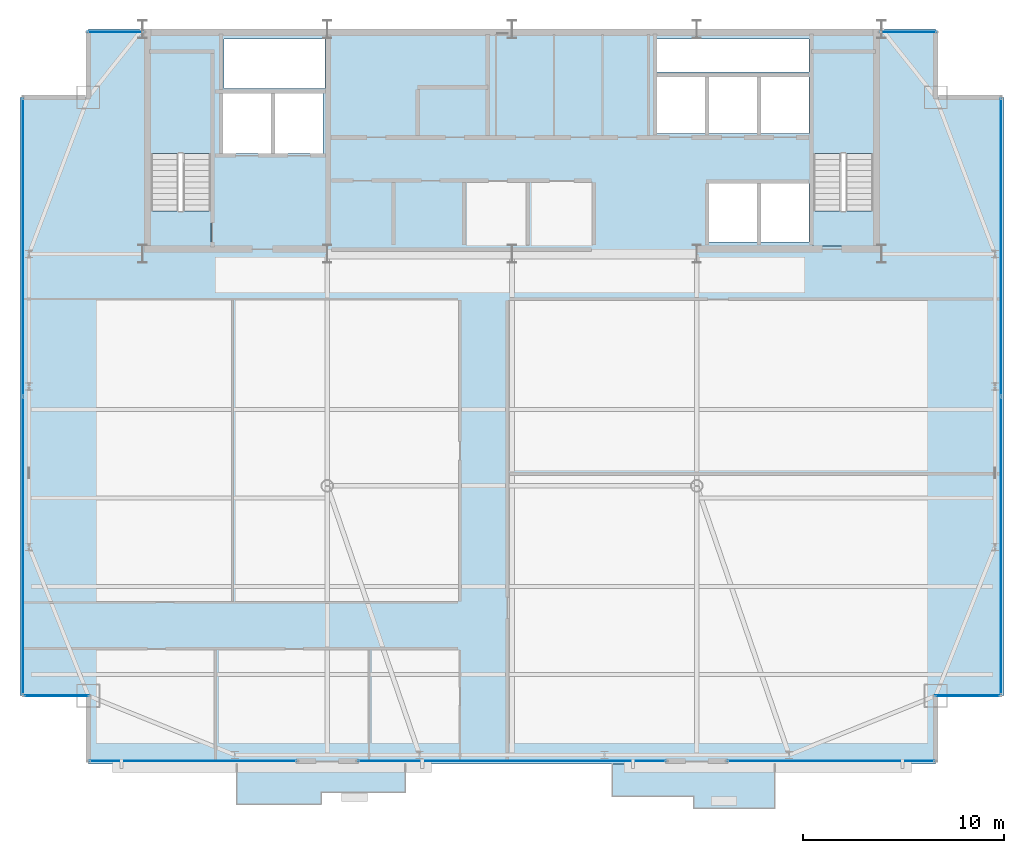
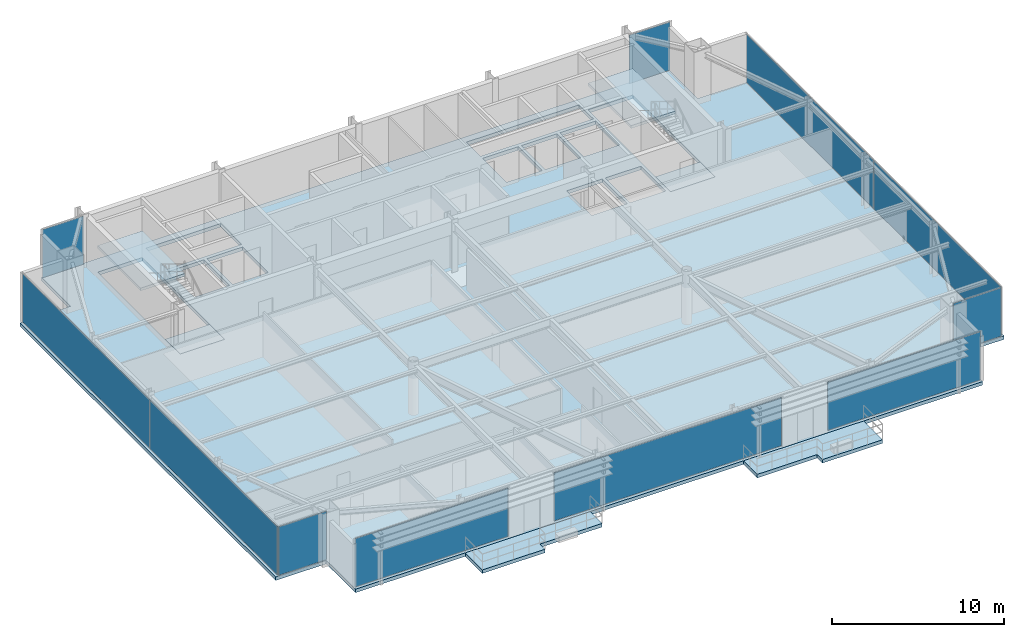
# One storey, part 23 of 30: 11 plates, 7 slabs, 11 elements without a shape of their own.
"""IFC4 building model written with IfcOpenShell, lengths in metres."""

from ifc_helpers import new_model, si_unit, direction, frame, origin, origin_2d, place, context, subcontext, project, spatial, polyline, rectangle, outline, extrude, source, transform, mapped, material, layer, layer_set, type_object, type_shapes, element, aggregate, save


model = new_model("IFC4")

# Units and contexts
model_context = context("Model", 3, precision=1e-05, world=origin(), true_north=direction((0.0, 1.0)))
body_context = subcontext(model_context, "Body", "Model", "MODEL_VIEW")
ifc_project = project(units=[si_unit("LENGTHUNIT", "METRE"), si_unit("AREAUNIT", "SQUARE_METRE"), si_unit("VOLUMEUNIT", "CUBIC_METRE"), si_unit("PLANEANGLEUNIT", "RADIAN"), si_unit("MASSUNIT", "GRAM", prefix="KILO")], contexts=[model_context])

# Site, building, storey
site_placement = place(None, origin())
site = spatial("IfcSite", under=ifc_project, at=site_placement, CompositionType="ELEMENT")
building_placement = place(site_placement, origin())
building = spatial("IfcBuilding", under=site, at=building_placement, Name="Varnel Quay Broadcast Tower", CompositionType="ELEMENT")
storey_placement = place(building_placement, frame((0.0, 0.0, 222.60009765625)))
storey = spatial("IfcBuildingStorey", under=building, at=storey_placement, Name="L55", CompositionType="ELEMENT", Elevation=222.60009765625)

# Slabs
ifc_material_1 = material(Name="Concrete CSA A23.3 C40/50", Category="concrete")
ifc_layer_1 = layer(ifc_material_1, 0.25, Name="Concrete CSA A23.3 C40/50")
ifc_layer_set_1 = layer_set([ifc_layer_1], Name="Concrete CSA A23.3 C40/50")
slab_type_1 = type_object("IfcSlabType", Name="Slab_ExtTerrace250", PredefinedType="FLOOR", material=ifc_layer_set_1)
slab_1_placement = place(storey_placement, frame((0.0, 0.0, -0.25)))
element("IfcSlab", 1, at=slab_1_placement, inside=storey, type_object=slab_type_1, Name="L55 Planted Lobe Terrace Slab 1", PredefinedType="FLOOR", context=body_context, shape_type="SweptSolid", body=[
    extrude(outline(polyline([(20.2900390625, 8.201904296875), (24.489990234375, 8.201904296875), (24.489990234375, 8.802001953125), (28.68994140625, 8.802001953125), (28.68994140625, 10.199951171875), (20.2900390625, 10.199951171875), (20.2900390625, 8.201904296875)])), origin(), (0.0, 0.0, 1.0), 0.25),
])
slab_2_placement = place(storey_placement, frame((0.0, 0.0, -0.25)))
element("IfcSlab", 2, at=slab_2_placement, inside=storey, type_object=slab_type_1, Name="L55 Planted Lobe Terrace Slab 2", PredefinedType="FLOOR", context=body_context, shape_type="SweptSolid", body=[
    extrude(outline(polyline([(39.0, 8.597900390625), (43.044921875, 8.597900390625), (43.044921875, 7.998046875), (47.090087890625, 7.998046875), (47.090087890625, 10.199951171875), (39.0, 10.199951171875), (39.0, 8.597900390625)])), origin(), (0.0, 0.0, 1.0), 0.25),
])
ifc_material_2 = material(Name="Concrete CSA A23.3 C50/60", Category="concrete")
ifc_layer_2 = layer(ifc_material_2, 0.25, Name="Concrete CSA A23.3 C50/60")
ifc_layer_set_2 = layer_set([ifc_layer_2], Name="Concrete CSA A23.3 C50/60")
slab_type_2 = type_object("IfcSlabType", Name="Slab_Floor250", PredefinedType="FLOOR", material=ifc_layer_set_2)
slab_3_placement = place(storey_placement, frame((0.0, 0.0, -0.25)))
element("IfcSlab", 3, at=slab_3_placement, inside=storey, type_object=slab_type_2, Name="L55 Structural Slab", PredefinedType="FLOOR", context=body_context, shape_type="SweptSolid", body=[
    extrude(outline(polyline([(12.89990234375, 10.199951171875), (55.10009765625, 10.199951171875), (55.10009765625, 13.60009765625), (58.5, 13.60009765625), (58.5, 43.39990234375), (55.10009765625, 43.39990234375), (55.10009765625, 46.800048828125), (12.89990234375, 46.800048828125), (12.89990234375, 43.39990234375), (9.5, 43.39990234375), (9.5, 13.60009765625), (12.89990234375, 13.60009765625), (12.89990234375, 10.199951171875)]), holes=[polyline([(19.0, 36.0), (16.0, 36.0), (16.0, 45.60009765625), (19.0, 45.60009765625), (19.0, 36.0)]), polyline([(19.60009765625, 40.60009765625), (19.60009765625, 43.60009765625), (22.0, 43.60009765625), (22.0, 40.60009765625), (19.60009765625, 40.60009765625)]), polyline([(22.199951171875, 40.60009765625), (22.199951171875, 43.60009765625), (24.60009765625, 43.60009765625), (24.60009765625, 40.60009765625), (22.199951171875, 40.60009765625)]), polyline([(41.199951171875, 44.39990234375), (43.60009765625, 44.39990234375), (43.60009765625, 41.60009765625), (41.199951171875, 41.60009765625), (41.199951171875, 44.39990234375)]), polyline([(43.800048828125, 44.39990234375), (46.199951171875, 44.39990234375), (46.199951171875, 41.60009765625), (43.800048828125, 41.60009765625), (43.800048828125, 44.39990234375)]), polyline([(19.64990234375, 43.85009765625), (19.64990234375, 46.300048828125), (24.679931640625, 46.300048828125), (24.679931640625, 43.85009765625), (19.64990234375, 43.85009765625)]), polyline([(43.800048828125, 39.10009765625), (46.199951171875, 39.10009765625), (46.199951171875, 36.199951171875), (43.800048828125, 36.199951171875), (43.800048828125, 39.10009765625)]), polyline([(46.39990234375, 39.10009765625), (48.800048828125, 39.10009765625), (48.800048828125, 36.199951171875), (46.39990234375, 36.199951171875), (46.39990234375, 39.10009765625)]), polyline([(52.0, 36.0), (49.0, 36.0), (49.0, 45.60009765625), (52.0, 45.60009765625), (52.0, 36.0)]), polyline([(46.39990234375, 44.39990234375), (48.800048828125, 44.39990234375), (48.800048828125, 41.60009765625), (46.39990234375, 41.60009765625), (46.39990234375, 44.39990234375)]), polyline([(41.199951171875, 46.300048828125), (48.800048828125, 46.300048828125), (48.800048828125, 44.64990234375), (41.199951171875, 44.64990234375), (41.199951171875, 46.300048828125)])]), origin(), (0.0, 0.0, 1.0), 0.25),
])
ifc_layer_3 = layer(ifc_material_2, 0.25, Name="Concrete CSA A23.3 C50/60")
ifc_layer_set_3 = layer_set([ifc_layer_3], Name="Concrete CSA A23.3 C50/60")
slab_type_3 = type_object("IfcSlabType", Name="Slab_StairFloorLanding250", PredefinedType="FLOOR", material=ifc_layer_set_3)
slab_4_placement = place(storey_placement, frame((0.0, 0.0, -0.25)))
element("IfcSlab", 4, at=slab_4_placement, inside=storey, type_object=slab_type_3, Name="L55 ST-01 Structural Floor Landing Slab", PredefinedType="FLOOR", context=body_context, shape_type="SweptSolid", body=[
    extrude(outline(polyline([(19.0, 36.0), (19.0, 37.75), (16.0, 37.75), (16.0, 36.0), (19.0, 36.0)])), origin(), (0.0, 0.0, 1.0), 0.25),
])
slab_5_placement = place(storey_placement, frame((0.0, 0.0, -0.25)))
element("IfcSlab", 5, at=slab_5_placement, inside=storey, type_object=slab_type_3, Name="L55 ST-02 Structural Floor Landing Slab", PredefinedType="FLOOR", context=body_context, shape_type="SweptSolid", body=[
    extrude(outline(polyline([(52.0, 36.0), (52.0, 37.75), (49.0, 37.75), (49.0, 36.0), (52.0, 36.0)])), origin(), (0.0, 0.0, 1.0), 0.25),
])

# Stair, slab
ifc_material_3 = material(Name="Precast Structural Concrete C40/50", Category="concrete")
stair_type_1 = type_object("IfcStairType", Name="Stair_ST-01", PredefinedType="HALF_TURN_STAIR", material=ifc_material_3)
stair_1_placement = place(storey_placement, origin())
stair_1 = element("IfcStair", 6, at=stair_1_placement, inside=storey, type_object=stair_type_1, Name="L55 West Core Exit Stair 1", PredefinedType="HALF_TURN_STAIR")
ifc_layer_4 = layer(ifc_material_3, 0.199951171875, Name="Precast Structural Concrete C40/50")
ifc_layer_set_4 = layer_set([ifc_layer_4], Name="Precast Structural Concrete C40/50")
slab_type_4 = type_object("IfcSlabType", Name="Slab_StairLanding200", PredefinedType="LANDING", material=ifc_layer_set_4)
slab_6_placement = place(storey_placement, frame((0.0, 0.0, 1.699951171875)))
slab_6 = element("IfcSlab", 7, at=slab_6_placement, type_object=slab_type_4, Name="ST-01 landing 1", PredefinedType="LANDING", context=body_context, shape_type="SweptSolid", body=[
    extrude(outline(polyline([(19.0, 40.60009765625), (19.0, 45.60009765625), (16.0, 45.60009765625), (16.0, 40.60009765625), (19.0, 40.60009765625)])), origin(), (0.0, 0.0, 1.0), 0.199951171875),
])
aggregate(stair_1, [slab_6])

stair_type_2 = type_object("IfcStairType", Name="Stair_ST-02", PredefinedType="HALF_TURN_STAIR", material=ifc_material_3)
stair_2_placement = place(storey_placement, origin())
stair_2 = element("IfcStair", 8, at=stair_2_placement, inside=storey, type_object=stair_type_2, Name="L55 East Core Exit Stair 2", PredefinedType="HALF_TURN_STAIR")
slab_7_placement = place(storey_placement, frame((0.0, 0.0, 1.699951171875)))
slab_7 = element("IfcSlab", 9, at=slab_7_placement, type_object=slab_type_4, Name="ST-02 landing 1", PredefinedType="LANDING", context=body_context, shape_type="SweptSolid", body=[
    extrude(outline(polyline([(52.0, 40.60009765625), (52.0, 45.60009765625), (49.0, 45.60009765625), (49.0, 40.60009765625), (52.0, 40.60009765625)])), origin(), (0.0, 0.0, 1.0), 0.199951171875),
])
aggregate(stair_2, [slab_7])

# Curtain wall, plate
ifc_material_4 = material(Name="Anodised Bronze Aluminium 6063-T6", Category="aluminium")
ifc_layer_5 = layer(ifc_material_4, 0.18994140625, Name="Anodised Bronze Aluminium 6063-T6")
ifc_layer_set_5 = layer_set([ifc_layer_5], Name="Anodised Bronze Aluminium 6063-T6")
curtain_wall_type_1 = type_object("IfcCurtainWallType", Name="CW_UpperTower", PredefinedType="NOTDEFINED", material=ifc_layer_set_5)
curtain_wall_1_placement = place(storey_placement, origin())
curtain_wall_1 = element("IfcCurtainWall", 10, at=curtain_wall_1_placement, inside=storey, type_object=curtain_wall_type_1, Name="L55 South Unitised Curtain Wall 1", PredefinedType="NOTDEFINED")
ifc_material_5 = material(Name="Triple-Glazed Bronze Low-E Architectural Glass", Category="glass")
ifc_layer_6 = layer(ifc_material_5, 0.030029296875, Name="Triple-Glazed Bronze Low-E Architectural Glass")
ifc_layer_set_6 = layer_set([ifc_layer_6], Name="Triple-Glazed Bronze Low-E Architectural Glass")
plate_type_1 = type_object("IfcPlateType", Name="Panel_CWS-03", PredefinedType="CURTAIN_PANEL", material=ifc_layer_set_6)
shared_shape_1 = source(origin(), body_context, "Body", "SweptSolid", [
    extrude(rectangle(XDim=10.2900390625, YDim=0.030029296875, at=origin_2d()), origin(), (0.0, 0.0, 1.0), 3.429931640625),
])
plate_1_placement = place(storey_placement, frame((18.110107421875, 10.35009765625, 0.06005859375), z_axis=(0.0, 0.0, 1.0), x_axis=(1.0, 0.0, 0.0)))
plate_1 = element("IfcPlate", 11, at=plate_1_placement, type_object=plate_type_1, Name="CWS-03 panel 1.1", PredefinedType="CURTAIN_PANEL", context=body_context, shape_type="MappedRepresentation", body=[
    mapped(shared_shape_1, transform((0.0, 0.0, 0.0), x_axis=(1.0, 0.0, 0.0), y_axis=(0.0, 1.0, 0.0), z_axis=(0.0, 0.0, 1.0), scale=1.0)),
])
aggregate(curtain_wall_1, [plate_1])

curtain_wall_2_placement = place(storey_placement, origin())
curtain_wall_2 = element("IfcCurtainWall", 12, at=curtain_wall_2_placement, inside=storey, type_object=curtain_wall_type_1, Name="L55 South Unitised Curtain Wall 3", PredefinedType="NOTDEFINED")
plate_2_placement = place(storey_placement, frame((49.889892578125, 10.35009765625, 0.06005859375), z_axis=(0.0, 0.0, 1.0), x_axis=(1.0, 0.0, 0.0)))
plate_2 = element("IfcPlate", 13, at=plate_2_placement, type_object=plate_type_1, Name="CWS-03 panel 1.1", PredefinedType="CURTAIN_PANEL", context=body_context, shape_type="MappedRepresentation", body=[
    mapped(shared_shape_1, transform((0.0, 0.0, 0.0), x_axis=(1.0, 0.0, 0.0), y_axis=(0.0, 1.0, 0.0), z_axis=(0.0, 0.0, 1.0), scale=1.0)),
])
aggregate(curtain_wall_2, [plate_2])

curtain_wall_3_placement = place(storey_placement, origin())
curtain_wall_3 = element("IfcCurtainWall", 14, at=curtain_wall_3_placement, inside=storey, type_object=curtain_wall_type_1, Name="L55 West Unitised Curtain Wall", PredefinedType="NOTDEFINED")
ifc_material_6 = material(Name="Insulated Bronze Spandrel Glass", Category="glass")
ifc_layer_7 = layer(ifc_material_6, 0.030029296875, Name="Insulated Bronze Spandrel Glass")
ifc_layer_set_7 = layer_set([ifc_layer_7], Name="Insulated Bronze Spandrel Glass")
plate_type_2 = type_object("IfcPlateType", Name="PanelSp_CWS-03", PredefinedType="CURTAIN_PANEL", material=ifc_layer_set_7)
shared_shape_2 = source(origin(), body_context, "Body", "SweptSolid", [
    extrude(rectangle(XDim=14.802490234375, YDim=0.030029296875, at=origin_2d()), origin(), (0.0, 0.0, 1.0), 3.429931640625),
])
type_shapes(plate_type_2, [shared_shape_2])
plate_3_placement = place(storey_placement, frame((9.64990234375, 21.066162109375, 0.06005859375), z_axis=(0.0, 0.0, 1.0), x_axis=(0.0, 1.0, 0.0)))
plate_3 = element("IfcPlate", 15, at=plate_3_placement, type_object=plate_type_2, Name="CWS-03 panel 1.1", PredefinedType="CURTAIN_PANEL", context=body_context, shape_type="MappedRepresentation", body=[
    mapped(shared_shape_2, transform((0.0, 0.0, 0.0), x_axis=(1.0, 0.0, 0.0), y_axis=(0.0, 1.0, 0.0), z_axis=(0.0, 0.0, 1.0), scale=1.0)),
])

curtain_wall_4_placement = place(storey_placement, origin())
curtain_wall_4 = element("IfcCurtainWall", 16, at=curtain_wall_4_placement, inside=storey, type_object=curtain_wall_type_1, Name="L55 East Unitised Curtain Wall", PredefinedType="NOTDEFINED")
plate_4_placement = place(storey_placement, frame((58.35009765625, 21.066162109375, 0.06005859375), z_axis=(0.0, 0.0, 1.0), x_axis=(0.0, 1.0, 0.0)))
plate_4 = element("IfcPlate", 17, at=plate_4_placement, type_object=plate_type_2, Name="CWS-03 panel 1.1", PredefinedType="CURTAIN_PANEL", context=body_context, shape_type="MappedRepresentation", body=[
    mapped(shared_shape_2, transform((0.0, 0.0, 0.0), x_axis=(1.0, 0.0, 0.0), y_axis=(0.0, 1.0, 0.0), z_axis=(0.0, 0.0, 1.0), scale=1.0)),
])

ifc_layer_8 = layer(ifc_material_4, 0.18994140625, Name="Anodised Bronze Aluminium 6063-T6")
ifc_layer_set_8 = layer_set([ifc_layer_8], Name="Anodised Bronze Aluminium 6063-T6")
curtain_wall_type_2 = type_object("IfcCurtainWallType", Name="CW_NotchCorner", PredefinedType="NOTDEFINED", material=ifc_layer_set_8)
curtain_wall_5_placement = place(storey_placement, origin())
curtain_wall_5 = element("IfcCurtainWall", 18, at=curtain_wall_5_placement, inside=storey, type_object=curtain_wall_type_2, Name="L55 SW Notch Curtain Wall", PredefinedType="NOTDEFINED")
ifc_layer_9 = layer(ifc_material_5, 0.028076171875, Name="Triple-Glazed Bronze Low-E Architectural Glass")
ifc_layer_set_9 = layer_set([ifc_layer_9], Name="Triple-Glazed Bronze Low-E Architectural Glass")
plate_type_3 = type_object("IfcPlateType", Name="Panel_CWS-04", PredefinedType="CURTAIN_PANEL", material=ifc_layer_set_9)
shared_shape_3 = source(origin(), body_context, "Body", "SweptSolid", [
    extrude(rectangle(XDim=3.2099609375, YDim=0.028076171875, at=origin_2d()), origin(), (0.0, 0.0, 1.0), 3.43994140625),
])
type_shapes(plate_type_3, [shared_shape_3])
plate_5_placement = place(storey_placement, frame((11.31494140625, 13.60009765625, 0.054931640625), z_axis=(0.0, 0.0, 1.0), x_axis=(1.0, 0.0, 0.0)))
plate_5 = element("IfcPlate", 19, at=plate_5_placement, type_object=plate_type_3, Name="CWS-04 panel 1.1", PredefinedType="CURTAIN_PANEL", context=body_context, shape_type="MappedRepresentation", body=[
    mapped(shared_shape_3, transform((0.0, 0.0, 0.0), x_axis=(1.0, 0.0, 0.0), y_axis=(0.0, 1.0, 0.0), z_axis=(0.0, 0.0, 1.0), scale=1.0)),
])
aggregate(curtain_wall_5, [plate_5])

curtain_wall_6_placement = place(storey_placement, origin())
curtain_wall_6 = element("IfcCurtainWall", 20, at=curtain_wall_6_placement, inside=storey, type_object=curtain_wall_type_2, Name="L55 SE Notch Curtain Wall", PredefinedType="NOTDEFINED")
plate_6_placement = place(storey_placement, frame((56.68505859375, 13.60009765625, 0.054931640625), z_axis=(0.0, 0.0, 1.0), x_axis=(1.0, 0.0, 0.0)))
plate_6 = element("IfcPlate", 21, at=plate_6_placement, type_object=plate_type_3, Name="CWS-04 panel 1.1", PredefinedType="CURTAIN_PANEL", context=body_context, shape_type="MappedRepresentation", body=[
    mapped(shared_shape_3, transform((0.0, 0.0, 0.0), x_axis=(1.0, 0.0, 0.0), y_axis=(0.0, 1.0, 0.0), z_axis=(0.0, 0.0, 1.0), scale=1.0)),
])
aggregate(curtain_wall_6, [plate_6])

curtain_wall_7_placement = place(storey_placement, origin())
curtain_wall_7 = element("IfcCurtainWall", 22, at=curtain_wall_7_placement, inside=storey, type_object=curtain_wall_type_1, Name="L55 NW Wing Curtain Wall", PredefinedType="NOTDEFINED")
shared_shape_4 = source(origin(), body_context, "Body", "SweptSolid", [
    extrude(rectangle(XDim=2.75, YDim=0.030029296875, at=origin_2d()), origin(), (0.0, 0.0, 1.0), 3.429931640625),
])
plate_7_placement = place(storey_placement, frame((14.260009765625, 46.64990234375, 0.06005859375), z_axis=(0.0, 0.0, 1.0), x_axis=(1.0, 0.0, 0.0)))
plate_7 = element("IfcPlate", 23, at=plate_7_placement, type_object=plate_type_1, Name="CWS-03 panel 1.1", PredefinedType="CURTAIN_PANEL", context=body_context, shape_type="MappedRepresentation", body=[
    mapped(shared_shape_4, transform((0.0, 0.0, 0.0), x_axis=(1.0, 0.0, 0.0), y_axis=(0.0, 1.0, 0.0), z_axis=(0.0, 0.0, 1.0), scale=1.0)),
])
aggregate(curtain_wall_7, [plate_7])

curtain_wall_8_placement = place(storey_placement, origin())
curtain_wall_8 = element("IfcCurtainWall", 24, at=curtain_wall_8_placement, inside=storey, type_object=curtain_wall_type_1, Name="L55 NE Wing Curtain Wall", PredefinedType="NOTDEFINED")
plate_8_placement = place(storey_placement, frame((53.739990234375, 46.64990234375, 0.06005859375), z_axis=(0.0, 0.0, 1.0), x_axis=(1.0, 0.0, 0.0)))
plate_8 = element("IfcPlate", 25, at=plate_8_placement, type_object=plate_type_1, Name="CWS-03 panel 1.1", PredefinedType="CURTAIN_PANEL", context=body_context, shape_type="MappedRepresentation", body=[
    mapped(shared_shape_4, transform((0.0, 0.0, 0.0), x_axis=(1.0, 0.0, 0.0), y_axis=(0.0, 1.0, 0.0), z_axis=(0.0, 0.0, 1.0), scale=1.0)),
])
aggregate(curtain_wall_8, [plate_8])

# Plate
shared_shape_5 = source(origin(), body_context, "Body", "SweptSolid", [
    extrude(rectangle(XDim=14.802490234375, YDim=0.030029296875, at=origin_2d()), origin(), (0.0, 0.0, 1.0), 3.429931640625),
])
plate_9_placement = place(storey_placement, frame((9.64990234375, 35.933837890625, 0.06005859375), z_axis=(0.0, 0.0, 1.0), x_axis=(0.0, 1.0, 0.0)))
plate_9 = element("IfcPlate", 26, at=plate_9_placement, type_object=plate_type_1, Name="CWS-03 panel 2.1", PredefinedType="CURTAIN_PANEL", context=body_context, shape_type="MappedRepresentation", body=[
    mapped(shared_shape_5, transform((0.0, 0.0, 0.0), x_axis=(1.0, 0.0, 0.0), y_axis=(0.0, 1.0, 0.0), z_axis=(0.0, 0.0, 1.0), scale=1.0)),
])

aggregate(curtain_wall_3, [plate_3, plate_9])

plate_10_placement = place(storey_placement, frame((58.35009765625, 35.933837890625, 0.06005859375), z_axis=(0.0, 0.0, 1.0), x_axis=(0.0, 1.0, 0.0)))
plate_10 = element("IfcPlate", 27, at=plate_10_placement, type_object=plate_type_1, Name="CWS-03 panel 2.1", PredefinedType="CURTAIN_PANEL", context=body_context, shape_type="MappedRepresentation", body=[
    mapped(shared_shape_5, transform((0.0, 0.0, 0.0), x_axis=(1.0, 0.0, 0.0), y_axis=(0.0, 1.0, 0.0), z_axis=(0.0, 0.0, 1.0), scale=1.0)),
])

aggregate(curtain_wall_4, [plate_4, plate_10])

# Curtain wall, plate
curtain_wall_9_placement = place(storey_placement, origin())
curtain_wall_9 = element("IfcCurtainWall", 28, at=curtain_wall_9_placement, inside=storey, type_object=curtain_wall_type_1, Name="L55 South Unitised Curtain Wall 2", PredefinedType="NOTDEFINED")
shared_shape_6 = source(origin(), body_context, "Body", "SweptSolid", [
    extrude(rectangle(XDim=15.31005859375, YDim=0.030029296875, at=origin_2d()), origin(), (0.0, 0.0, 1.0), 3.429931640625),
])
type_shapes(plate_type_1, [shared_shape_1, shared_shape_4, shared_shape_5, shared_shape_6])
plate_11_placement = place(storey_placement, frame((34.0, 10.35009765625, 0.06005859375), z_axis=(0.0, 0.0, 1.0), x_axis=(1.0, 0.0, 0.0)))
plate_11 = element("IfcPlate", 29, at=plate_11_placement, type_object=plate_type_1, Name="CWS-03 panel 1.1", PredefinedType="CURTAIN_PANEL", context=body_context, shape_type="MappedRepresentation", body=[
    mapped(shared_shape_6, transform((0.0, 0.0, 0.0), x_axis=(1.0, 0.0, 0.0), y_axis=(0.0, 1.0, 0.0), z_axis=(0.0, 0.0, 1.0), scale=1.0)),
])
aggregate(curtain_wall_9, [plate_11])

save(model, "model.ifc")
